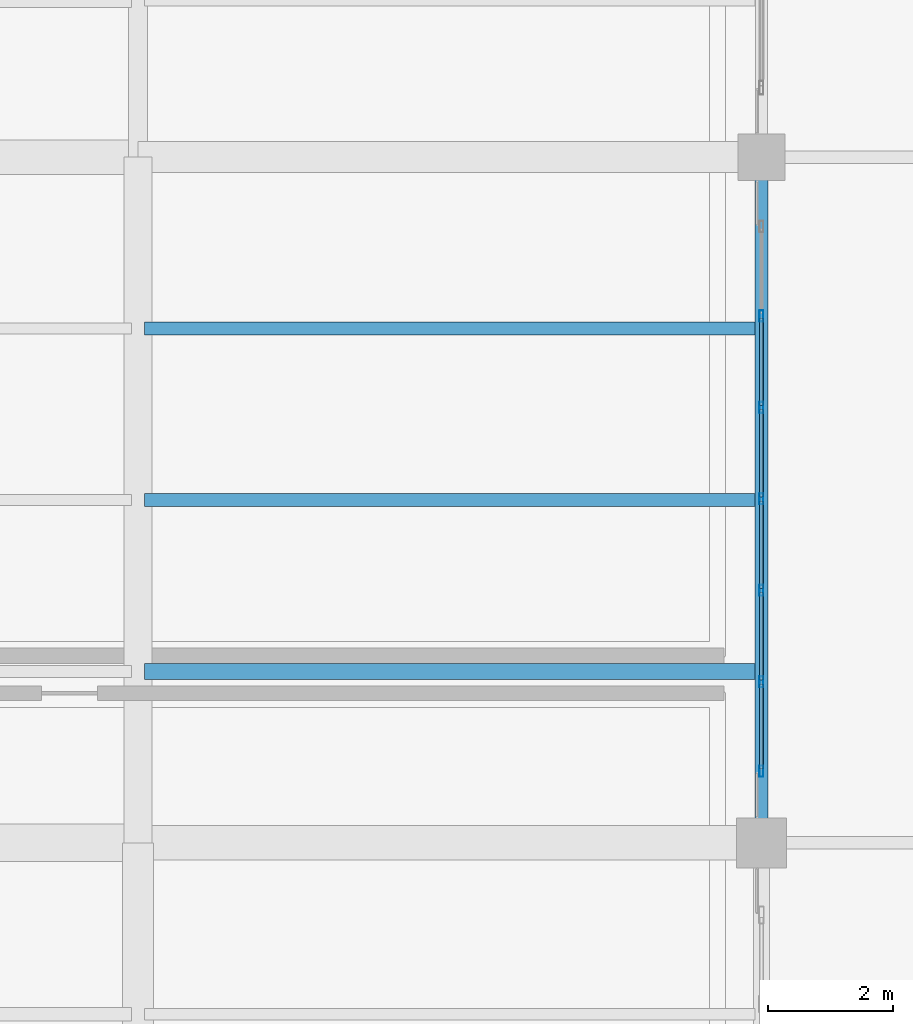
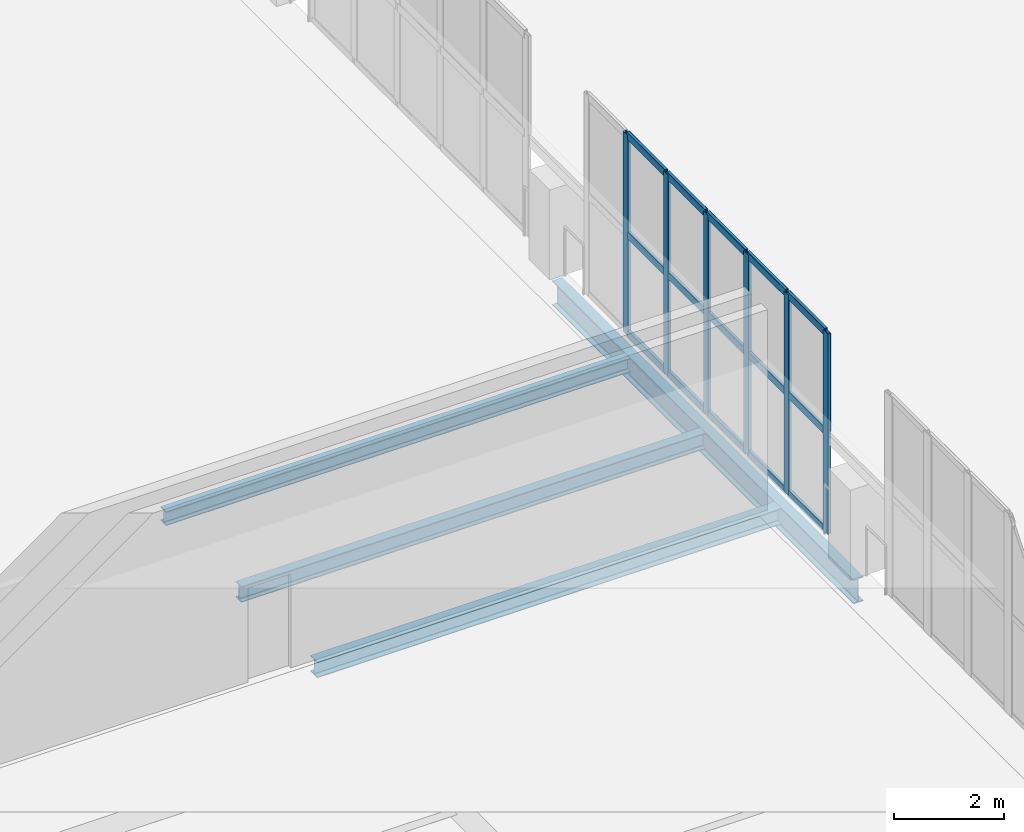
# One storey, part 69 of 136: 21 members, 4 beams, 1 element without a shape of its own.
"""IFC4 building model written with IfcOpenShell, lengths in metres."""

from ifc_helpers import new_model, si_unit, direction, frame, origin, origin_2d, place, context, subcontext, project, spatial, hollow_rectangle, i_section, extrude, material, layer, layer_set, material_profile, profile_set, type_object, element, aggregate, save


model = new_model("IFC4")

# Units and contexts
model_context = context("Model", 3, precision=1e-05, world=origin(), true_north=direction((0.0, 1.0)))
body_context = subcontext(model_context, "Body", "Model", "MODEL_VIEW")
ifc_project = project(units=[si_unit("LENGTHUNIT", "METRE"), si_unit("AREAUNIT", "SQUARE_METRE"), si_unit("VOLUMEUNIT", "CUBIC_METRE"), si_unit("PLANEANGLEUNIT", "RADIAN"), si_unit("MASSUNIT", "GRAM", prefix="KILO")], contexts=[model_context])

# Site, building, storey
site_placement = place(None, origin())
site = spatial("IfcSite", under=ifc_project, at=site_placement, CompositionType="ELEMENT")
building_placement = place(site_placement, origin())
building = spatial("IfcBuilding", under=site, at=building_placement, Name="Brinegate Civic Arena", CompositionType="ELEMENT")
storey_placement = place(building_placement, frame((0.0, 0.0, 5.39990234375)))
storey = spatial("IfcBuildingStorey", under=building, at=storey_placement, Name="L01", CompositionType="ELEMENT", Elevation=5.39990234375)

# Curtain wall, members
ifc_material_1 = material(Name="Marine grade aluminium", Category="aluminium")
ifc_layer = layer(ifc_material_1, 0.18505859375, Name="Marine grade aluminium")
ifc_layer_set = layer_set([ifc_layer], Name="Marine grade aluminium")
curtain_wall_type = type_object("IfcCurtainWallType", Name="CW-WING-GLAZED-03", PredefinedType="USERDEFINED", material=ifc_layer_set)
curtain_wall_placement = place(storey_placement, origin())
curtain_wall = element("IfcCurtainWall", 1, at=curtain_wall_placement, inside=storey, type_object=curtain_wall_type, Name="Curtain Wall CWA-034", ObjectType="GLAZED CURTAIN WALL", PredefinedType="USERDEFINED")
ifc_material_profile_1 = material_profile(ifc_material_1, hollow_rectangle(XDim=0.06494140625, YDim=0.179931640625, WallThickness=0.0048828125, InnerFilletRadius=0.00390625, OuterFilletRadius=0.008056640625, at=origin_2d()), Name="MUL65X180")
ifc_profile_set_1 = profile_set([ifc_material_profile_1], Name="Marine grade aluminium")
member_type_1 = type_object("IfcMemberType", Name="CW-MULLION-65X180", PredefinedType="MULLION", material=ifc_profile_set_1)
member_1_placement = place(storey_placement, frame((190.0, 32.1484375, 0.0), z_axis=(0.0, 0.0, 1.0), x_axis=(-1.0, 0.0, 0.0)))
member_1 = element("IfcMember", 2, at=member_1_placement, type_object=member_type_1, Name="CWA-034 mullion 1", PredefinedType="MULLION", context=body_context, shape_type="SweptSolid", body=[
    extrude(hollow_rectangle(XDim=0.06494140625, YDim=0.179931640625, WallThickness=0.0048828125, InnerFilletRadius=0.00390625, OuterFilletRadius=0.008056640625, at=origin_2d()), origin(), (0.0, 0.0, 1.0), 4.47021484375),
])
member_2_placement = place(storey_placement, frame((190.0, 33.583251953125, 0.0), z_axis=(0.0, 0.0, 1.0), x_axis=(-1.0, 0.0, 0.0)))
member_2 = element("IfcMember", 3, at=member_2_placement, type_object=member_type_1, Name="CWA-034 mullion 2", PredefinedType="MULLION", context=body_context, shape_type="SweptSolid", body=[
    extrude(hollow_rectangle(XDim=0.06494140625, YDim=0.179931640625, WallThickness=0.0048828125, InnerFilletRadius=0.00390625, OuterFilletRadius=0.008056640625, at=origin_2d()), origin(), (0.0, 0.0, 1.0), 4.47021484375),
])
member_3_placement = place(storey_placement, frame((190.0, 35.05078125, 0.0), z_axis=(0.0, 0.0, 1.0), x_axis=(-1.0, 0.0, 0.0)))
member_3 = element("IfcMember", 4, at=member_3_placement, type_object=member_type_1, Name="CWA-034 mullion 3", PredefinedType="MULLION", context=body_context, shape_type="SweptSolid", body=[
    extrude(hollow_rectangle(XDim=0.06494140625, YDim=0.179931640625, WallThickness=0.0048828125, InnerFilletRadius=0.00390625, OuterFilletRadius=0.008056640625, at=origin_2d()), origin(), (0.0, 0.0, 1.0), 4.47021484375),
])
member_4_placement = place(storey_placement, frame((190.0, 36.51806640625, 0.0), z_axis=(0.0, 0.0, 1.0), x_axis=(-1.0, 0.0, 0.0)))
member_4 = element("IfcMember", 5, at=member_4_placement, type_object=member_type_1, Name="CWA-034 mullion 4", PredefinedType="MULLION", context=body_context, shape_type="SweptSolid", body=[
    extrude(hollow_rectangle(XDim=0.06494140625, YDim=0.179931640625, WallThickness=0.0048828125, InnerFilletRadius=0.00390625, OuterFilletRadius=0.008056640625, at=origin_2d()), origin(), (0.0, 0.0, 1.0), 4.47021484375),
])
member_5_placement = place(storey_placement, frame((190.0, 37.9853515625, 0.0), z_axis=(0.0, 0.0, 1.0), x_axis=(-1.0, 0.0, 0.0)))
member_5 = element("IfcMember", 6, at=member_5_placement, type_object=member_type_1, Name="CWA-034 mullion 5", PredefinedType="MULLION", context=body_context, shape_type="SweptSolid", body=[
    extrude(hollow_rectangle(XDim=0.06494140625, YDim=0.179931640625, WallThickness=0.0048828125, InnerFilletRadius=0.00390625, OuterFilletRadius=0.008056640625, at=origin_2d()), origin(), (0.0, 0.0, 1.0), 4.47021484375),
])
member_6_placement = place(storey_placement, frame((190.0, 39.45263671875, 0.0), z_axis=(0.0, 0.0, 1.0), x_axis=(-1.0, 0.0, 0.0)))
member_6 = element("IfcMember", 7, at=member_6_placement, type_object=member_type_1, Name="CWA-034 mullion 6", PredefinedType="MULLION", context=body_context, shape_type="SweptSolid", body=[
    extrude(hollow_rectangle(XDim=0.06494140625, YDim=0.179931640625, WallThickness=0.0048828125, InnerFilletRadius=0.00390625, OuterFilletRadius=0.008056640625, at=origin_2d()), origin(), (0.0, 0.0, 1.0), 4.47021484375),
])
ifc_material_profile_2 = material_profile(ifc_material_1, hollow_rectangle(XDim=0.06494140625, YDim=0.1650390625, WallThickness=0.0048828125, InnerFilletRadius=0.00390625, OuterFilletRadius=0.008056640625, at=origin_2d()), Name="TRN65X165")
ifc_profile_set_2 = profile_set([ifc_material_profile_2], Name="Marine grade aluminium")
member_type_2 = type_object("IfcMemberType", Name="CW-TRANSOM-65X165", PredefinedType="USERDEFINED", material=ifc_profile_set_2)
member_7_placement = place(storey_placement, frame((190.0, 32.180908203125, 0.03271484375), z_axis=(0.0, 1.0, 0.0), x_axis=(-1.0, 0.0, 0.0)))
member_7 = element("IfcMember", 8, at=member_7_placement, type_object=member_type_2, Name="CWA-034 transom 1.1", ObjectType="TRANSOM", PredefinedType="USERDEFINED", context=body_context, shape_type="SweptSolid", body=[
    extrude(hollow_rectangle(XDim=0.06494140625, YDim=0.1650390625, WallThickness=0.0048828125, InnerFilletRadius=0.00390625, OuterFilletRadius=0.008056640625, at=origin_2d()), origin(), (0.0, 0.0, 1.0), 1.369873046875),
])
member_8_placement = place(storey_placement, frame((190.0, 32.180908203125, 2.235107421875), z_axis=(0.0, 1.0, 0.0), x_axis=(-1.0, 0.0, 0.0)))
member_8 = element("IfcMember", 9, at=member_8_placement, type_object=member_type_2, Name="CWA-034 transom 1.2", ObjectType="TRANSOM", PredefinedType="USERDEFINED", context=body_context, shape_type="SweptSolid", body=[
    extrude(hollow_rectangle(XDim=0.06494140625, YDim=0.1650390625, WallThickness=0.0048828125, InnerFilletRadius=0.00390625, OuterFilletRadius=0.008056640625, at=origin_2d()), origin(), (0.0, 0.0, 1.0), 1.369873046875),
])
member_9_placement = place(storey_placement, frame((190.0, 32.180908203125, 4.4375), z_axis=(0.0, 1.0, 0.0), x_axis=(-1.0, 0.0, 0.0)))
member_9 = element("IfcMember", 10, at=member_9_placement, type_object=member_type_2, Name="CWA-034 transom 1.3", ObjectType="TRANSOM", PredefinedType="USERDEFINED", context=body_context, shape_type="SweptSolid", body=[
    extrude(hollow_rectangle(XDim=0.06494140625, YDim=0.1650390625, WallThickness=0.0048828125, InnerFilletRadius=0.00390625, OuterFilletRadius=0.008056640625, at=origin_2d()), origin(), (0.0, 0.0, 1.0), 1.369873046875),
])
member_10_placement = place(storey_placement, frame((190.0, 33.61572265625, 0.03271484375), z_axis=(0.0, 1.0, 0.0), x_axis=(-1.0, 0.0, 0.0)))
member_10 = element("IfcMember", 11, at=member_10_placement, type_object=member_type_2, Name="CWA-034 transom 2.1", ObjectType="TRANSOM", PredefinedType="USERDEFINED", context=body_context, shape_type="SweptSolid", body=[
    extrude(hollow_rectangle(XDim=0.06494140625, YDim=0.1650390625, WallThickness=0.0048828125, InnerFilletRadius=0.00390625, OuterFilletRadius=0.008056640625, at=origin_2d()), origin(), (0.0, 0.0, 1.0), 1.40234375),
])
member_11_placement = place(storey_placement, frame((190.0, 33.61572265625, 2.235107421875), z_axis=(0.0, 1.0, 0.0), x_axis=(-1.0, 0.0, 0.0)))
member_11 = element("IfcMember", 12, at=member_11_placement, type_object=member_type_2, Name="CWA-034 transom 2.2", ObjectType="TRANSOM", PredefinedType="USERDEFINED", context=body_context, shape_type="SweptSolid", body=[
    extrude(hollow_rectangle(XDim=0.06494140625, YDim=0.1650390625, WallThickness=0.0048828125, InnerFilletRadius=0.00390625, OuterFilletRadius=0.008056640625, at=origin_2d()), origin(), (0.0, 0.0, 1.0), 1.40234375),
])
member_12_placement = place(storey_placement, frame((190.0, 33.61572265625, 4.4375), z_axis=(0.0, 1.0, 0.0), x_axis=(-1.0, 0.0, 0.0)))
member_12 = element("IfcMember", 13, at=member_12_placement, type_object=member_type_2, Name="CWA-034 transom 2.3", ObjectType="TRANSOM", PredefinedType="USERDEFINED", context=body_context, shape_type="SweptSolid", body=[
    extrude(hollow_rectangle(XDim=0.06494140625, YDim=0.1650390625, WallThickness=0.0048828125, InnerFilletRadius=0.00390625, OuterFilletRadius=0.008056640625, at=origin_2d()), origin(), (0.0, 0.0, 1.0), 1.40234375),
])
member_13_placement = place(storey_placement, frame((190.0, 35.083251953125, 0.03271484375), z_axis=(0.0, 1.0, 0.0), x_axis=(-1.0, 0.0, 0.0)))
member_13 = element("IfcMember", 14, at=member_13_placement, type_object=member_type_2, Name="CWA-034 transom 3.1", ObjectType="TRANSOM", PredefinedType="USERDEFINED", context=body_context, shape_type="SweptSolid", body=[
    extrude(hollow_rectangle(XDim=0.06494140625, YDim=0.1650390625, WallThickness=0.0048828125, InnerFilletRadius=0.00390625, OuterFilletRadius=0.008056640625, at=origin_2d()), origin(), (0.0, 0.0, 1.0), 1.40234375),
])
member_14_placement = place(storey_placement, frame((190.0, 35.083251953125, 2.235107421875), z_axis=(0.0, 1.0, 0.0), x_axis=(-1.0, 0.0, 0.0)))
member_14 = element("IfcMember", 15, at=member_14_placement, type_object=member_type_2, Name="CWA-034 transom 3.2", ObjectType="TRANSOM", PredefinedType="USERDEFINED", context=body_context, shape_type="SweptSolid", body=[
    extrude(hollow_rectangle(XDim=0.06494140625, YDim=0.1650390625, WallThickness=0.0048828125, InnerFilletRadius=0.00390625, OuterFilletRadius=0.008056640625, at=origin_2d()), origin(), (0.0, 0.0, 1.0), 1.40234375),
])
member_15_placement = place(storey_placement, frame((190.0, 35.083251953125, 4.4375), z_axis=(0.0, 1.0, 0.0), x_axis=(-1.0, 0.0, 0.0)))
member_15 = element("IfcMember", 16, at=member_15_placement, type_object=member_type_2, Name="CWA-034 transom 3.3", ObjectType="TRANSOM", PredefinedType="USERDEFINED", context=body_context, shape_type="SweptSolid", body=[
    extrude(hollow_rectangle(XDim=0.06494140625, YDim=0.1650390625, WallThickness=0.0048828125, InnerFilletRadius=0.00390625, OuterFilletRadius=0.008056640625, at=origin_2d()), origin(), (0.0, 0.0, 1.0), 1.40234375),
])
member_16_placement = place(storey_placement, frame((190.0, 36.550537109375, 0.03271484375), z_axis=(0.0, 1.0, 0.0), x_axis=(-1.0, 0.0, 0.0)))
member_16 = element("IfcMember", 17, at=member_16_placement, type_object=member_type_2, Name="CWA-034 transom 4.1", ObjectType="TRANSOM", PredefinedType="USERDEFINED", context=body_context, shape_type="SweptSolid", body=[
    extrude(hollow_rectangle(XDim=0.06494140625, YDim=0.1650390625, WallThickness=0.0048828125, InnerFilletRadius=0.00390625, OuterFilletRadius=0.008056640625, at=origin_2d()), origin(), (0.0, 0.0, 1.0), 1.40234375),
])
member_17_placement = place(storey_placement, frame((190.0, 36.550537109375, 2.235107421875), z_axis=(0.0, 1.0, 0.0), x_axis=(-1.0, 0.0, 0.0)))
member_17 = element("IfcMember", 18, at=member_17_placement, type_object=member_type_2, Name="CWA-034 transom 4.2", ObjectType="TRANSOM", PredefinedType="USERDEFINED", context=body_context, shape_type="SweptSolid", body=[
    extrude(hollow_rectangle(XDim=0.06494140625, YDim=0.1650390625, WallThickness=0.0048828125, InnerFilletRadius=0.00390625, OuterFilletRadius=0.008056640625, at=origin_2d()), origin(), (0.0, 0.0, 1.0), 1.40234375),
])
member_18_placement = place(storey_placement, frame((190.0, 36.550537109375, 4.4375), z_axis=(0.0, 1.0, 0.0), x_axis=(-1.0, 0.0, 0.0)))
member_18 = element("IfcMember", 19, at=member_18_placement, type_object=member_type_2, Name="CWA-034 transom 4.3", ObjectType="TRANSOM", PredefinedType="USERDEFINED", context=body_context, shape_type="SweptSolid", body=[
    extrude(hollow_rectangle(XDim=0.06494140625, YDim=0.1650390625, WallThickness=0.0048828125, InnerFilletRadius=0.00390625, OuterFilletRadius=0.008056640625, at=origin_2d()), origin(), (0.0, 0.0, 1.0), 1.40234375),
])
member_19_placement = place(storey_placement, frame((190.0, 38.017822265625, 0.03271484375), z_axis=(0.0, 1.0, 0.0), x_axis=(-1.0, 0.0, 0.0)))
member_19 = element("IfcMember", 20, at=member_19_placement, type_object=member_type_2, Name="CWA-034 transom 5.1", ObjectType="TRANSOM", PredefinedType="USERDEFINED", context=body_context, shape_type="SweptSolid", body=[
    extrude(hollow_rectangle(XDim=0.06494140625, YDim=0.1650390625, WallThickness=0.0048828125, InnerFilletRadius=0.00390625, OuterFilletRadius=0.008056640625, at=origin_2d()), origin(), (0.0, 0.0, 1.0), 1.40234375),
])
member_20_placement = place(storey_placement, frame((190.0, 38.017822265625, 2.235107421875), z_axis=(0.0, 1.0, 0.0), x_axis=(-1.0, 0.0, 0.0)))
member_20 = element("IfcMember", 21, at=member_20_placement, type_object=member_type_2, Name="CWA-034 transom 5.2", ObjectType="TRANSOM", PredefinedType="USERDEFINED", context=body_context, shape_type="SweptSolid", body=[
    extrude(hollow_rectangle(XDim=0.06494140625, YDim=0.1650390625, WallThickness=0.0048828125, InnerFilletRadius=0.00390625, OuterFilletRadius=0.008056640625, at=origin_2d()), origin(), (0.0, 0.0, 1.0), 1.40234375),
])
member_21_placement = place(storey_placement, frame((190.0, 38.017822265625, 4.4375), z_axis=(0.0, 1.0, 0.0), x_axis=(-1.0, 0.0, 0.0)))
member_21 = element("IfcMember", 22, at=member_21_placement, type_object=member_type_2, Name="CWA-034 transom 5.3", ObjectType="TRANSOM", PredefinedType="USERDEFINED", context=body_context, shape_type="SweptSolid", body=[
    extrude(hollow_rectangle(XDim=0.06494140625, YDim=0.1650390625, WallThickness=0.0048828125, InnerFilletRadius=0.00390625, OuterFilletRadius=0.008056640625, at=origin_2d()), origin(), (0.0, 0.0, 1.0), 1.40234375),
])
aggregate(curtain_wall, [member_1, member_2, member_3, member_4, member_5, member_6, member_7, member_8, member_9, member_10, member_11, member_12, member_13, member_14, member_15, member_16, member_17, member_18, member_19, member_20, member_21])

# Beams
ifc_material_2 = material(Name="Steel S355", Category="steel")
ifc_material_profile_3 = material_profile(ifc_material_2, i_section(OverallWidth=0.205078125, OverallDepth=0.31005859375, WebThickness=0.009033203125, FlangeThickness=0.01611328125, FilletRadius=0.012939453125, at=origin_2d()), Name="W310X74")
ifc_profile_set_3 = profile_set([ifc_material_profile_3], Name="Steel S355")
beam_type_1 = type_object("IfcBeamType", Name="JOIST-W310X74", PredefinedType="JOIST", material=ifc_profile_set_3)
beam_1_placement = place(storey_placement, frame((180.10595703125, 39.25, -0.494873046875), z_axis=(1.0, 0.0, 0.0), x_axis=(0.0, 1.0, 0.0)))
element("IfcBeam", 23, at=beam_1_placement, inside=storey, type_object=beam_type_1, Name="Secondary Joist BM-L01-JX-15-03-3", PredefinedType="JOIST", context=body_context, shape_type="SweptSolid", body=[
    extrude(i_section(OverallWidth=0.205078125, OverallDepth=0.31005859375, WebThickness=0.009033203125, FlangeThickness=0.01611328125, FilletRadius=0.012939453125, at=origin_2d()), origin(), (0.0, 0.0, 1.0), 9.7880859375),
])
ifc_material_profile_4 = material_profile(ifc_material_2, i_section(OverallWidth=0.205078125, OverallDepth=0.35400390625, WebThickness=0.009033203125, FlangeThickness=0.01708984375, FilletRadius=0.013916015625, at=origin_2d()), Name="W360X79")
ifc_profile_set_4 = profile_set([ifc_material_profile_4], Name="Steel S355")
beam_type_2 = type_object("IfcBeamType", Name="JOIST-W360X79", PredefinedType="JOIST", material=ifc_profile_set_4)
beam_2_placement = place(storey_placement, frame((180.10595703125, 36.5, -0.516845703125), z_axis=(1.0, 0.0, 0.0), x_axis=(0.0, 1.0, 0.0)))
element("IfcBeam", 24, at=beam_2_placement, inside=storey, type_object=beam_type_2, Name="Secondary Joist BM-L01-JX-15-03-2", PredefinedType="JOIST", context=body_context, shape_type="SweptSolid", body=[
    extrude(i_section(OverallWidth=0.205078125, OverallDepth=0.35400390625, WebThickness=0.009033203125, FlangeThickness=0.01708984375, FilletRadius=0.013916015625, at=origin_2d()), origin(), (0.0, 0.0, 1.0), 9.7880859375),
])
ifc_material_profile_5 = material_profile(ifc_material_2, i_section(OverallWidth=0.25390625, OverallDepth=0.35302734375, WebThickness=0.010009765625, FlangeThickness=0.01611328125, FilletRadius=0.013916015625, at=origin_2d()), Name="W360X91")
ifc_profile_set_5 = profile_set([ifc_material_profile_5], Name="Steel S355")
beam_type_3 = type_object("IfcBeamType", Name="JOIST-W360X91", PredefinedType="JOIST", material=ifc_profile_set_5)
beam_3_placement = place(storey_placement, frame((180.10595703125, 33.75, -0.515869140625), z_axis=(1.0, 0.0, 0.0), x_axis=(0.0, 1.0, 0.0)))
element("IfcBeam", 25, at=beam_3_placement, inside=storey, type_object=beam_type_3, Name="Secondary Joist BM-L01-JX-15-03-1", PredefinedType="JOIST", context=body_context, shape_type="SweptSolid", body=[
    extrude(i_section(OverallWidth=0.25390625, OverallDepth=0.35302734375, WebThickness=0.010009765625, FlangeThickness=0.01611328125, FilletRadius=0.013916015625, at=origin_2d()), origin(), (0.0, 0.0, 1.0), 9.7880859375),
])
ifc_material_profile_6 = material_profile(ifc_material_2, i_section(OverallWidth=0.2119140625, OverallDepth=0.5439453125, WebThickness=0.012939453125, FlangeThickness=0.02099609375, FilletRadius=0.01611328125, at=origin_2d()), Name="W530X123")
ifc_profile_set_6 = profile_set([ifc_material_profile_6], Name="Steel S355")
beam_type_4 = type_object("IfcBeamType", Name="SPANDREL-W530X123", PredefinedType="SPANDREL", material=ifc_profile_set_6)
beam_4_placement = place(storey_placement, frame((190.0, 31.0, -0.61181640625), z_axis=(0.0, 1.0, 0.0), x_axis=(-1.0, 0.0, 0.0)))
element("IfcBeam", 26, at=beam_4_placement, inside=storey, type_object=beam_type_4, Name="Floor Girder BM-L01-GY-16-03", PredefinedType="SPANDREL", context=body_context, shape_type="SweptSolid", body=[
    extrude(i_section(OverallWidth=0.2119140625, OverallDepth=0.5439453125, WebThickness=0.012939453125, FlangeThickness=0.02099609375, FilletRadius=0.01611328125, at=origin_2d()), origin(), (0.0, 0.0, 1.0), 11.0),
])

save(model, "model.ifc")
